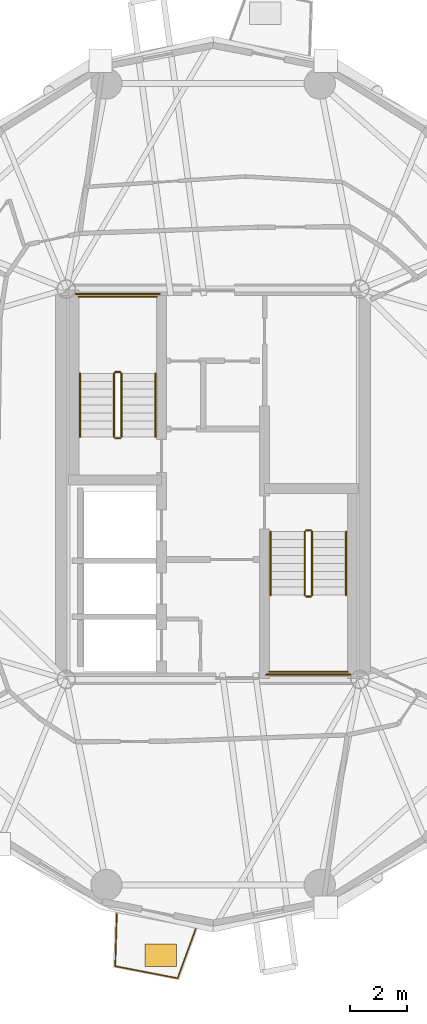
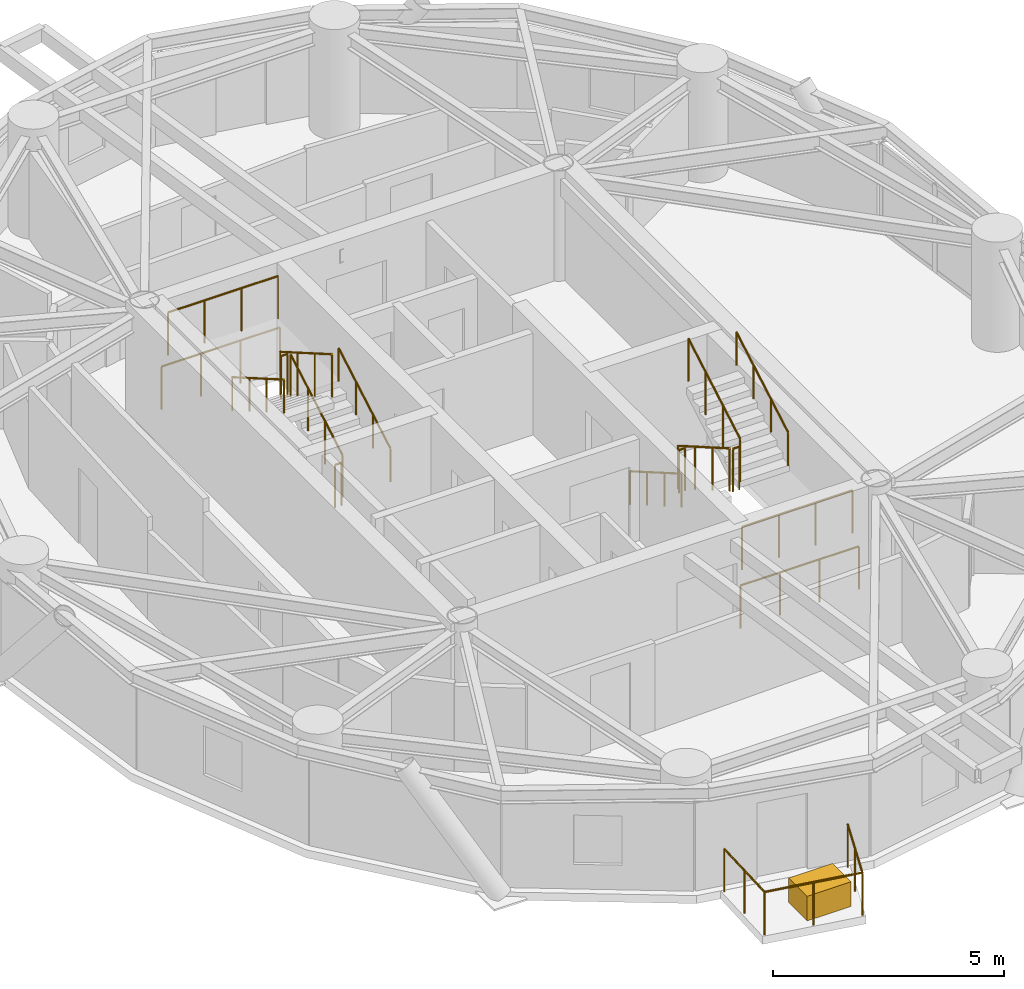
# One storey, part 14 of 16: 17 railings, 1 covering.
"""IFC4 building model written with IfcOpenShell, lengths in metres."""

from ifc_helpers import new_model, si_unit, direction, frame, origin, origin_2d, place, context, subcontext, project, spatial, rectangle, circle, extrude, source, transform, mapped, material, layer, layer_set, type_object, element, save


model = new_model("IFC4")

# Units and contexts
model_context = context("Model", 3, precision=1e-05, world=origin(), true_north=direction((0.0, 1.0)))
body_context = subcontext(model_context, "Body", "Model", "MODEL_VIEW")
ifc_project = project(units=[si_unit("LENGTHUNIT", "METRE"), si_unit("AREAUNIT", "SQUARE_METRE"), si_unit("VOLUMEUNIT", "CUBIC_METRE"), si_unit("PLANEANGLEUNIT", "RADIAN"), si_unit("MASSUNIT", "GRAM", prefix="KILO")], contexts=[model_context])

# Site, building, storey
site_placement = place(None, origin())
site = spatial("IfcSite", under=ifc_project, at=site_placement, CompositionType="ELEMENT")
building_placement = place(site_placement, origin())
building = spatial("IfcBuilding", under=site, at=building_placement, Name="Cununo Teusaquillo Station Towers", CompositionType="ELEMENT")
storey_placement = place(building_placement, frame((0.0, 0.0, 214.1201171875)))
storey = spatial("IfcBuildingStorey", under=building, at=storey_placement, Name="L68", CompositionType="ELEMENT", Elevation=214.1201171875)

# Railings
ifc_material_1 = material(Name="Anodised dark bronze aluminium EN AW-6063-T6", Category="aluminium")
railing_type_1 = type_object("IfcRailingType", Name="RL-EXT-GUARD", PredefinedType="GUARDRAIL", material=ifc_material_1)
railing_1_placement = place(storey_placement, frame((15.884765625, 8.819580078125, 0.0)))
element("IfcRailing", 1, at=railing_1_placement, inside=storey, type_object=railing_type_1, Name="L68 Tower A Balcony Guardrail C14", PredefinedType="GUARDRAIL", context=body_context, shape_type="SweptSolid", body=[
    extrude(circle(Radius=0.02392578125, at=origin_2d()), frame((0.0, 0.0, 1.1259765625), z_axis=(-0.344196323776, -0.938897699805, 0.0), x_axis=(0.938897699805, -0.344196323776, 0.0)), (0.0, 0.0, 1.0), 1.844970703125),
    extrude(circle(Radius=0.02392578125, at=origin_2d()), frame((-0.635009765625, -1.732177734375, 1.1259765625), z_axis=(-0.981834932982, 0.18973709278, 0.0), x_axis=(-0.18973709278, -0.981834932982, 0.0)), (0.0, 0.0, 1.0), 2.239013671875),
    extrude(circle(Radius=0.02392578125, at=origin_2d()), frame((-2.833251953125, -1.307373046875, 1.1259765625), z_axis=(0.030305152758, 0.999540693377, 0.0), x_axis=(-0.999540693377, 0.030305152758, 0.0)), (0.0, 0.0, 1.0), 1.8447265625),
    extrude(circle(Radius=0.02099609375, at=origin_2d()), origin(), (0.0, 0.0, 1.0), 1.101806640625),
    extrude(circle(Radius=0.02099609375, at=origin_2d()), frame((-0.3173828125, -0.8662109375, 0.0)), (0.0, 0.0, 1.0), 1.101806640625),
    extrude(circle(Radius=0.02099609375, at=origin_2d()), frame((-0.635009765625, -1.732177734375, 0.0)), (0.0, 0.0, 1.0), 1.101806640625),
    extrude(circle(Radius=0.02099609375, at=origin_2d()), frame((-1.734130859375, -1.519775390625, 0.0)), (0.0, 0.0, 1.0), 1.101806640625),
    extrude(circle(Radius=0.02099609375, at=origin_2d()), frame((-2.833251953125, -1.307373046875, 0.0)), (0.0, 0.0, 1.0), 1.101806640625),
    extrude(circle(Radius=0.02099609375, at=origin_2d()), frame((-2.80517578125, -0.38525390625, 0.0)), (0.0, 0.0, 1.0), 1.101806640625),
    extrude(circle(Radius=0.02099609375, at=origin_2d()), frame((-2.77734375, 0.53662109375, 0.0)), (0.0, 0.0, 1.0), 1.101806640625),
])
ifc_material_2 = material(Name="Steel EN 10025-2 S355J2", Category="steel")
railing_type_2 = type_object("IfcRailingType", Name="RL-INT-GUARD", PredefinedType="GUARDRAIL", material=ifc_material_2)
railing_2_placement = place(storey_placement, frame((13.27001953125, 26.169921875, 0.16162109375)))
element("IfcRailing", 2, at=railing_2_placement, inside=storey, type_object=railing_type_2, Name="L68 ST-T1-1 stair guard 1", PredefinedType="GUARDRAIL", context=body_context, shape_type="SweptSolid", body=[
    extrude(circle(Radius=0.02392578125, at=origin_2d()), frame((0.0, 0.0, 1.1259765625), z_axis=(0.0, 0.866033117094, 0.499986639918), x_axis=(-1.0, 0.0, 0.0)), (0.0, 0.0, 1.0), 2.58642578125),
    extrude(circle(Radius=0.02099609375, at=origin_2d()), origin(), (0.0, 0.0, 1.0), 1.101806640625),
    extrude(circle(Radius=0.02099609375, at=origin_2d()), frame((0.0, 0.74658203125, 0.43115234375)), (0.0, 0.0, 1.0), 1.101806640625),
    extrude(circle(Radius=0.02099609375, at=origin_2d()), frame((0.0, 1.493408203125, 0.862060546875)), (0.0, 0.0, 1.0), 1.101806640625),
    extrude(circle(Radius=0.02099609375, at=origin_2d()), frame((0.0, 2.239990234375, 1.293212890625)), (0.0, 0.0, 1.0), 1.101806640625),
])
railing_3_placement = place(storey_placement, frame((13.219970703125, 28.4599609375, 1.454833984375)))
element("IfcRailing", 3, at=railing_3_placement, inside=storey, type_object=railing_type_2, Name="L68 ST-T1-1 stair guard 2", PredefinedType="GUARDRAIL", context=body_context, shape_type="SweptSolid", body=[
    extrude(circle(Radius=0.02392578125, at=origin_2d()), frame((0.0, 0.0, 1.1259765625), z_axis=(-1.0, 0.0, 0.0), x_axis=(0.0, -1.0, 0.0)), (0.0, 0.0, 1.0), 0.159912109375),
    extrude(circle(Radius=0.02099609375, at=origin_2d()), origin(), (0.0, 0.0, 1.0), 1.101806640625),
    extrude(circle(Radius=0.02099609375, at=origin_2d()), frame((-0.159912109375, 0.0, 0.0)), (0.0, 0.0, 1.0), 1.101806640625),
])
railing_4_placement = place(storey_placement, frame((14.52001953125, 31.110107421875, 1.454833984375)))
element("IfcRailing", 4, at=railing_4_placement, inside=storey, type_object=railing_type_2, Name="L68 ST-T1-1 stair guard 3", PredefinedType="GUARDRAIL", context=body_context, shape_type="SweptSolid", body=[
    extrude(circle(Radius=0.02392578125, at=origin_2d()), frame((0.0, 0.0, 1.1259765625), z_axis=(-1.0, 0.0, 0.0), x_axis=(0.0, -1.0, 0.0)), (0.0, 0.0, 1.0), 2.760009765625),
    extrude(circle(Radius=0.02099609375, at=origin_2d()), origin(), (0.0, 0.0, 1.0), 1.101806640625),
    extrude(circle(Radius=0.02099609375, at=origin_2d()), frame((-0.919921875, 0.0, 0.0)), (0.0, 0.0, 1.0), 1.101806640625),
    extrude(circle(Radius=0.02099609375, at=origin_2d()), frame((-1.840087890625, 0.0, 0.0)), (0.0, 0.0, 1.0), 1.101806640625),
    extrude(circle(Radius=0.02099609375, at=origin_2d()), frame((-2.760009765625, 0.0, 0.0)), (0.0, 0.0, 1.0), 1.101806640625),
])
railing_5_placement = place(storey_placement, frame((13.010009765625, 28.409912109375, 1.616455078125)))
element("IfcRailing", 5, at=railing_5_placement, inside=storey, type_object=railing_type_2, Name="L68 ST-T1-1 stair guard 4", PredefinedType="GUARDRAIL", context=body_context, shape_type="SweptSolid", body=[
    extrude(circle(Radius=0.02392578125, at=origin_2d()), frame((0.0, 0.0, 1.1259765625), z_axis=(0.0, -0.865992244559, 0.500057429065), x_axis=(1.0, 0.0, 0.0)), (0.0, 0.0, 1.0), 2.586669921875),
    extrude(circle(Radius=0.02099609375, at=origin_2d()), origin(), (0.0, 0.0, 1.0), 1.101806640625),
    extrude(circle(Radius=0.02099609375, at=origin_2d()), frame((0.0, -0.74658203125, 0.43115234375)), (0.0, 0.0, 1.0), 1.101806640625),
    extrude(circle(Radius=0.02099609375, at=origin_2d()), frame((0.0, -1.493408203125, 0.8623046875)), (0.0, 0.0, 1.0), 1.101806640625),
    extrude(circle(Radius=0.02099609375, at=origin_2d()), frame((0.0, -2.239990234375, 1.29345703125)), (0.0, 0.0, 1.0), 1.101806640625),
])
railing_6_placement = place(storey_placement, frame((13.219970703125, 26.1201171875, 0.0)))
element("IfcRailing", 6, at=railing_6_placement, inside=storey, type_object=railing_type_2, Name="L68 ST-T1-1 stair guard 5", PredefinedType="GUARDRAIL", context=body_context, shape_type="SweptSolid", body=[
    extrude(circle(Radius=0.02392578125, at=origin_2d()), frame((0.0, 0.0, 1.1259765625), z_axis=(-1.0, 0.0, 0.0), x_axis=(0.0, -1.0, 0.0)), (0.0, 0.0, 1.0), 0.159912109375),
    extrude(circle(Radius=0.02099609375, at=origin_2d()), origin(), (0.0, 0.0, 1.0), 1.101806640625),
    extrude(circle(Radius=0.02099609375, at=origin_2d()), frame((-0.159912109375, 0.0, 0.0)), (0.0, 0.0, 1.0), 1.101806640625),
])
railing_7_placement = place(storey_placement, frame((14.6201171875, 31.2099609375, 0.0)))
element("IfcRailing", 7, at=railing_7_placement, inside=storey, type_object=railing_type_2, Name="L68 ST-T1-1 stair guard 6", PredefinedType="GUARDRAIL", context=body_context, shape_type="SweptSolid", body=[
    extrude(circle(Radius=0.02392578125, at=origin_2d()), frame((0.0, 0.0, 1.1259765625), z_axis=(-1.0, 0.0, 0.0), x_axis=(0.0, -1.0, 0.0)), (0.0, 0.0, 1.0), 2.960205078125),
    extrude(circle(Radius=0.02099609375, at=origin_2d()), origin(), (0.0, 0.0, 1.0), 1.101806640625),
    extrude(circle(Radius=0.02099609375, at=origin_2d()), frame((-0.98681640625, 0.0, 0.0)), (0.0, 0.0, 1.0), 1.101806640625),
    extrude(circle(Radius=0.02099609375, at=origin_2d()), frame((-1.973388671875, 0.0, 0.0)), (0.0, 0.0, 1.0), 1.101806640625),
    extrude(circle(Radius=0.02099609375, at=origin_2d()), frame((-2.960205078125, 0.0, 0.0)), (0.0, 0.0, 1.0), 1.101806640625),
])
railing_8_placement = place(storey_placement, frame((19.72998046875, 22.830078125, 0.16162109375)))
element("IfcRailing", 8, at=railing_8_placement, inside=storey, type_object=railing_type_2, Name="L68 ST-T1-2 stair guard 1", PredefinedType="GUARDRAIL", context=body_context, shape_type="SweptSolid", body=[
    extrude(circle(Radius=0.02392578125, at=origin_2d()), frame((0.0, 0.0, 1.1259765625), z_axis=(0.0, -0.866033117094, 0.499986639918), x_axis=(1.0, 0.0, 0.0)), (0.0, 0.0, 1.0), 2.58642578125),
    extrude(circle(Radius=0.02099609375, at=origin_2d()), origin(), (0.0, 0.0, 1.0), 1.101806640625),
    extrude(circle(Radius=0.02099609375, at=origin_2d()), frame((0.0, -0.74658203125, 0.43115234375)), (0.0, 0.0, 1.0), 1.101806640625),
    extrude(circle(Radius=0.02099609375, at=origin_2d()), frame((0.0, -1.493408203125, 0.862060546875)), (0.0, 0.0, 1.0), 1.101806640625),
    extrude(circle(Radius=0.02099609375, at=origin_2d()), frame((0.0, -2.239990234375, 1.293212890625)), (0.0, 0.0, 1.0), 1.101806640625),
])
railing_9_placement = place(storey_placement, frame((19.780029296875, 20.5400390625, 1.454833984375)))
element("IfcRailing", 9, at=railing_9_placement, inside=storey, type_object=railing_type_2, Name="L68 ST-T1-2 stair guard 2", PredefinedType="GUARDRAIL", context=body_context, shape_type="SweptSolid", body=[
    extrude(circle(Radius=0.02392578125, at=origin_2d()), frame((0.0, 0.0, 1.1259765625), z_axis=(1.0, 0.0, 0.0), x_axis=(0.0, 1.0, 0.0)), (0.0, 0.0, 1.0), 0.159912109375),
    extrude(circle(Radius=0.02099609375, at=origin_2d()), origin(), (0.0, 0.0, 1.0), 1.101806640625),
    extrude(circle(Radius=0.02099609375, at=origin_2d()), frame((0.159912109375, 0.0, 0.0)), (0.0, 0.0, 1.0), 1.101806640625),
])
railing_10_placement = place(storey_placement, frame((18.47998046875, 17.889892578125, 1.454833984375)))
element("IfcRailing", 10, at=railing_10_placement, inside=storey, type_object=railing_type_2, Name="L68 ST-T1-2 stair guard 3", PredefinedType="GUARDRAIL", context=body_context, shape_type="SweptSolid", body=[
    extrude(circle(Radius=0.02392578125, at=origin_2d()), frame((0.0, 0.0, 1.1259765625), z_axis=(1.0, 0.0, 0.0), x_axis=(0.0, 1.0, 0.0)), (0.0, 0.0, 1.0), 2.760009765625),
    extrude(circle(Radius=0.02099609375, at=origin_2d()), origin(), (0.0, 0.0, 1.0), 1.101806640625),
    extrude(circle(Radius=0.02099609375, at=origin_2d()), frame((0.919921875, 0.0, 0.0)), (0.0, 0.0, 1.0), 1.101806640625),
    extrude(circle(Radius=0.02099609375, at=origin_2d()), frame((1.840087890625, 0.0, 0.0)), (0.0, 0.0, 1.0), 1.101806640625),
    extrude(circle(Radius=0.02099609375, at=origin_2d()), frame((2.760009765625, 0.0, 0.0)), (0.0, 0.0, 1.0), 1.101806640625),
])
railing_11_placement = place(storey_placement, frame((19.989990234375, 20.590087890625, 1.616455078125)))
element("IfcRailing", 11, at=railing_11_placement, inside=storey, type_object=railing_type_2, Name="L68 ST-T1-2 stair guard 4", PredefinedType="GUARDRAIL", context=body_context, shape_type="SweptSolid", body=[
    extrude(circle(Radius=0.02392578125, at=origin_2d()), frame((0.0, 0.0, 1.1259765625), z_axis=(0.0, 0.865992244559, 0.500057429065), x_axis=(-1.0, 0.0, 0.0)), (0.0, 0.0, 1.0), 2.586669921875),
    extrude(circle(Radius=0.02099609375, at=origin_2d()), origin(), (0.0, 0.0, 1.0), 1.101806640625),
    extrude(circle(Radius=0.02099609375, at=origin_2d()), frame((0.0, 0.74658203125, 0.43115234375)), (0.0, 0.0, 1.0), 1.101806640625),
    extrude(circle(Radius=0.02099609375, at=origin_2d()), frame((0.0, 1.493408203125, 0.8623046875)), (0.0, 0.0, 1.0), 1.101806640625),
    extrude(circle(Radius=0.02099609375, at=origin_2d()), frame((0.0, 2.239990234375, 1.29345703125)), (0.0, 0.0, 1.0), 1.101806640625),
])
railing_12_placement = place(storey_placement, frame((19.780029296875, 22.8798828125, 0.0)))
element("IfcRailing", 12, at=railing_12_placement, inside=storey, type_object=railing_type_2, Name="L68 ST-T1-2 stair guard 5", PredefinedType="GUARDRAIL", context=body_context, shape_type="SweptSolid", body=[
    extrude(circle(Radius=0.02392578125, at=origin_2d()), frame((0.0, 0.0, 1.1259765625), z_axis=(1.0, 0.0, 0.0), x_axis=(0.0, 1.0, 0.0)), (0.0, 0.0, 1.0), 0.159912109375),
    extrude(circle(Radius=0.02099609375, at=origin_2d()), origin(), (0.0, 0.0, 1.0), 1.101806640625),
    extrude(circle(Radius=0.02099609375, at=origin_2d()), frame((0.159912109375, 0.0, 0.0)), (0.0, 0.0, 1.0), 1.101806640625),
])
railing_13_placement = place(storey_placement, frame((18.3798828125, 17.7900390625, 0.0)))
element("IfcRailing", 13, at=railing_13_placement, inside=storey, type_object=railing_type_2, Name="L68 ST-T1-2 stair guard 6", PredefinedType="GUARDRAIL", context=body_context, shape_type="SweptSolid", body=[
    extrude(circle(Radius=0.02392578125, at=origin_2d()), frame((0.0, 0.0, 1.1259765625), z_axis=(1.0, 0.0, 0.0), x_axis=(0.0, 1.0, 0.0)), (0.0, 0.0, 1.0), 2.960205078125),
    extrude(circle(Radius=0.02099609375, at=origin_2d()), origin(), (0.0, 0.0, 1.0), 1.101806640625),
    extrude(circle(Radius=0.02099609375, at=origin_2d()), frame((0.98681640625, 0.0, 0.0)), (0.0, 0.0, 1.0), 1.101806640625),
    extrude(circle(Radius=0.02099609375, at=origin_2d()), frame((1.973388671875, 0.0, 0.0)), (0.0, 0.0, 1.0), 1.101806640625),
    extrude(circle(Radius=0.02099609375, at=origin_2d()), frame((2.960205078125, 0.0, 0.0)), (0.0, 0.0, 1.0), 1.101806640625),
])
ifc_material_3 = material(Name="Steel EN 10025-2 S355J2", Category="steel")
railing_type_3 = type_object("IfcRailingType", Name="RL-INT-HRAIL", PredefinedType="HANDRAIL", material=ifc_material_3)
railing_14_placement = place(storey_placement, frame((14.469970703125, 26.169921875, 0.16162109375)))
element("IfcRailing", 14, at=railing_14_placement, inside=storey, type_object=railing_type_3, Name="L68 ST-T1-1 stair handrail 1", PredefinedType="HANDRAIL", context=body_context, shape_type="SweptSolid", body=[
    extrude(circle(Radius=0.02392578125, at=origin_2d()), frame((0.0, 0.0, 0.8759765625), z_axis=(0.0, 0.866033117094, 0.499986639918), x_axis=(-1.0, 0.0, 0.0)), (0.0, 0.0, 1.0), 2.58642578125),
    extrude(circle(Radius=0.02099609375, at=origin_2d()), origin(), (0.0, 0.0, 1.0), 0.851806640625),
    extrude(circle(Radius=0.02099609375, at=origin_2d()), frame((0.0, 0.74658203125, 0.43115234375)), (0.0, 0.0, 1.0), 0.851806640625),
    extrude(circle(Radius=0.02099609375, at=origin_2d()), frame((0.0, 1.493408203125, 0.862060546875)), (0.0, 0.0, 1.0), 0.851806640625),
    extrude(circle(Radius=0.02099609375, at=origin_2d()), frame((0.0, 2.239990234375, 1.293212890625)), (0.0, 0.0, 1.0), 0.851806640625),
])
railing_15_placement = place(storey_placement, frame((11.81005859375, 28.409912109375, 1.616455078125)))
element("IfcRailing", 15, at=railing_15_placement, inside=storey, type_object=railing_type_3, Name="L68 ST-T1-1 stair handrail 2", PredefinedType="HANDRAIL", context=body_context, shape_type="SweptSolid", body=[
    extrude(circle(Radius=0.02392578125, at=origin_2d()), frame((0.0, 0.0, 0.8759765625), z_axis=(0.0, -0.865992244559, 0.500057429065), x_axis=(1.0, 0.0, 0.0)), (0.0, 0.0, 1.0), 2.586669921875),
    extrude(circle(Radius=0.02099609375, at=origin_2d()), origin(), (0.0, 0.0, 1.0), 0.851806640625),
    extrude(circle(Radius=0.02099609375, at=origin_2d()), frame((0.0, -0.74658203125, 0.43115234375)), (0.0, 0.0, 1.0), 0.851806640625),
    extrude(circle(Radius=0.02099609375, at=origin_2d()), frame((0.0, -1.493408203125, 0.8623046875)), (0.0, 0.0, 1.0), 0.851806640625),
    extrude(circle(Radius=0.02099609375, at=origin_2d()), frame((0.0, -2.239990234375, 1.29345703125)), (0.0, 0.0, 1.0), 0.851806640625),
])
railing_16_placement = place(storey_placement, frame((18.530029296875, 22.830078125, 0.16162109375)))
element("IfcRailing", 16, at=railing_16_placement, inside=storey, type_object=railing_type_3, Name="L68 ST-T1-2 stair handrail 1", PredefinedType="HANDRAIL", context=body_context, shape_type="SweptSolid", body=[
    extrude(circle(Radius=0.02392578125, at=origin_2d()), frame((0.0, 0.0, 0.8759765625), z_axis=(0.0, -0.866033117094, 0.499986639918), x_axis=(1.0, 0.0, 0.0)), (0.0, 0.0, 1.0), 2.58642578125),
    extrude(circle(Radius=0.02099609375, at=origin_2d()), origin(), (0.0, 0.0, 1.0), 0.851806640625),
    extrude(circle(Radius=0.02099609375, at=origin_2d()), frame((0.0, -0.74658203125, 0.43115234375)), (0.0, 0.0, 1.0), 0.851806640625),
    extrude(circle(Radius=0.02099609375, at=origin_2d()), frame((0.0, -1.493408203125, 0.862060546875)), (0.0, 0.0, 1.0), 0.851806640625),
    extrude(circle(Radius=0.02099609375, at=origin_2d()), frame((0.0, -2.239990234375, 1.293212890625)), (0.0, 0.0, 1.0), 0.851806640625),
])
railing_17_placement = place(storey_placement, frame((21.18994140625, 20.590087890625, 1.616455078125)))
element("IfcRailing", 17, at=railing_17_placement, inside=storey, type_object=railing_type_3, Name="L68 ST-T1-2 stair handrail 2", PredefinedType="HANDRAIL", context=body_context, shape_type="SweptSolid", body=[
    extrude(circle(Radius=0.02392578125, at=origin_2d()), frame((0.0, 0.0, 0.8759765625), z_axis=(0.0, 0.865992244559, 0.500057429065), x_axis=(-1.0, 0.0, 0.0)), (0.0, 0.0, 1.0), 2.586669921875),
    extrude(circle(Radius=0.02099609375, at=origin_2d()), origin(), (0.0, 0.0, 1.0), 0.851806640625),
    extrude(circle(Radius=0.02099609375, at=origin_2d()), frame((0.0, 0.74658203125, 0.43115234375)), (0.0, 0.0, 1.0), 0.851806640625),
    extrude(circle(Radius=0.02099609375, at=origin_2d()), frame((0.0, 1.493408203125, 0.8623046875)), (0.0, 0.0, 1.0), 0.851806640625),
    extrude(circle(Radius=0.02099609375, at=origin_2d()), frame((0.0, 2.239990234375, 1.29345703125)), (0.0, 0.0, 1.0), 0.851806640625),
])

# Covering
ifc_material_4 = material(Name="Architectural GRC planter shell and engineered root-zone substrate", Category="concrete")
ifc_layer = layer(ifc_material_4, 0.64990234375)
ifc_layer_set = layer_set([ifc_layer], Name="Architectural GRC planter shell and engineered root-zone substrate")
covering_type = type_object("IfcCoveringType", Name="COV-TREE-PLANTER", PredefinedType="CLADDING", material=ifc_layer_set)
shared_shape = source(origin(), body_context, "Body", "SweptSolid", [
    extrude(rectangle(XDim=1.10009765625, YDim=0.800048828125, at=origin_2d()), origin(), (0.0, 0.0, 1.0), 0.64990234375),
])
covering_placement = place(storey_placement, frame((14.658203125, 7.897216796875, 0.0), z_axis=(0.0, 0.0, 1.0), x_axis=(1.0, 0.0, 0.0)))
element("IfcCovering", 18, at=covering_placement, inside=storey, type_object=covering_type, Name="L68 Tower A Balcony Tree PLANTER C14", PredefinedType="CLADDING", context=body_context, shape_type="MappedRepresentation", body=[
    mapped(shared_shape, transform((0.0, 0.0, 0.0), x_axis=(1.0, 0.0, 0.0), y_axis=(0.0, 1.0, 0.0), z_axis=(0.0, 0.0, 1.0), scale=1.0)),
])

save(model, "model.ifc")
